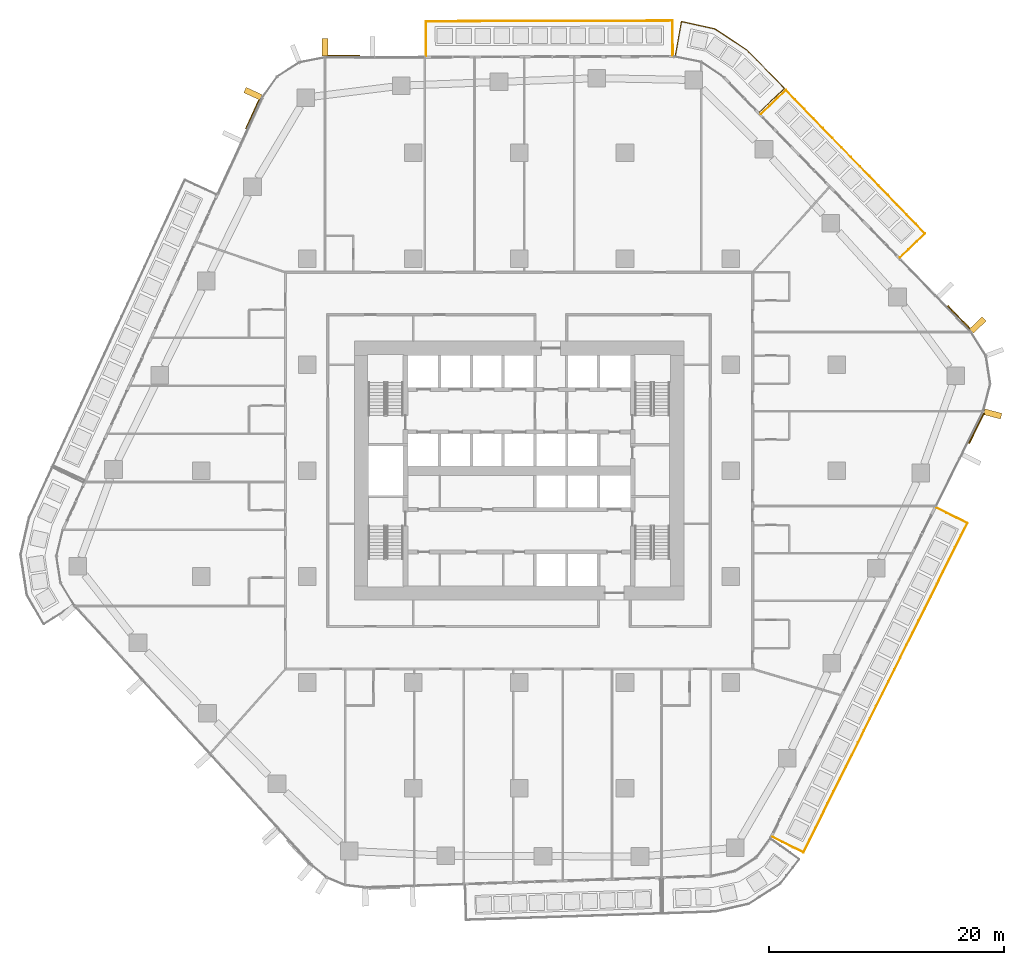
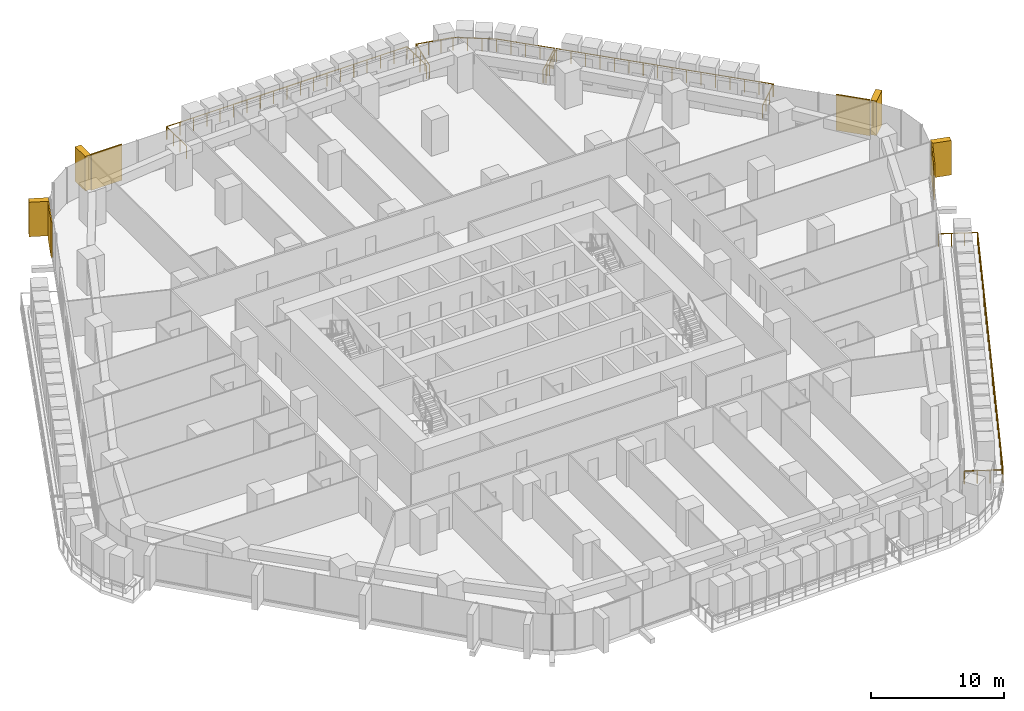
# One storey, part 27 of 27: 8 coverings, 4 railings, 5 elements without a shape of their own.
"""IFC4 building model written with IfcOpenShell, lengths in metres."""

from ifc_helpers import new_model, si_unit, direction, frame, origin, origin_2d, place, context, subcontext, project, spatial, rectangle, circle, extrude, material, layer, layer_set, material_profile, profile_set, type_object, element, aggregate, save


model = new_model("IFC4")

# Units and contexts
model_context = context("Model", 3, precision=1e-05, world=origin(), true_north=direction((0.0, 1.0)))
body_context = subcontext(model_context, "Body", "Model", "MODEL_VIEW")
ifc_project = project(units=[si_unit("LENGTHUNIT", "METRE"), si_unit("AREAUNIT", "SQUARE_METRE"), si_unit("VOLUMEUNIT", "CUBIC_METRE"), si_unit("PLANEANGLEUNIT", "RADIAN"), si_unit("MASSUNIT", "GRAM", prefix="KILO")], contexts=[model_context])

# Site, building, storey
site_placement = place(None, origin())
site = spatial("IfcSite", under=ifc_project, at=site_placement, CompositionType="ELEMENT")
building_placement = place(site_placement, origin())
building = spatial("IfcBuilding", under=site, at=building_placement, Name="Dongbaek Canopy Tower", CompositionType="ELEMENT")
storey_placement = place(building_placement, frame((0.0, 0.0, 58.800048828125)))
storey = spatial("IfcBuildingStorey", under=building, at=storey_placement, Name="L10", CompositionType="ELEMENT", Elevation=58.800048828125)

# Railings
ifc_material_1 = material(Name="Stainless steel", Category="steel")
railing_type = type_object("IfcRailingType", Name="Balcony balustrade 1200", PredefinedType="BALUSTRADE", material=ifc_material_1)
railing_1_placement = place(storey_placement, frame((32.384033203125, 18.10546875, 0.0)))
element("IfcRailing", 1, at=railing_1_placement, inside=storey, type_object=railing_type, Name="Balcony guard L10 1", PredefinedType="BALUSTRADE", context=body_context, shape_type="SweptSolid", body=[
    extrude(circle(Radius=0.02392578125, at=origin_2d()), frame((0.0, 0.0, 1.17578125), z_axis=(0.718023621674, 0.696018734459, 0.0), x_axis=(-0.696018734459, 0.718023621674, 0.0)), (0.0, 0.0, 1.0), 2.940185546875),
    extrude(circle(Radius=0.02392578125, at=origin_2d()), frame((2.111083984375, 2.04638671875, 1.17578125), z_axis=(-0.696033141623, 0.718009655759, 0.0), x_axis=(-0.718009655759, -0.696033141623, 0.0)), (0.0, 0.0, 1.0), 16.98583984375),
    extrude(circle(Radius=0.02392578125, at=origin_2d()), frame((-9.711669921875, 14.242431640625, 1.17578125), z_axis=(-0.718023621674, -0.696018734459, 0.0), x_axis=(0.696018734459, -0.718023621674, 0.0)), (0.0, 0.0, 1.0), 2.940185546875),
    extrude(circle(Radius=0.02099609375, at=origin_2d()), origin(), (0.0, 0.0, 1.0), 1.15185546875),
    extrude(circle(Radius=0.02099609375, at=origin_2d()), frame((0.70361328125, 0.68212890625, 0.0)), (0.0, 0.0, 1.0), 1.15185546875),
    extrude(circle(Radius=0.02099609375, at=origin_2d()), frame((1.407470703125, 1.3642578125, 0.0)), (0.0, 0.0, 1.0), 1.15185546875),
    extrude(circle(Radius=0.02099609375, at=origin_2d()), frame((2.111083984375, 2.04638671875, 0.0)), (0.0, 0.0, 1.0), 1.15185546875),
    extrude(circle(Radius=0.02099609375, at=origin_2d()), frame((1.322998046875, 2.859375, 0.0)), (0.0, 0.0, 1.0), 1.15185546875),
    extrude(circle(Radius=0.02099609375, at=origin_2d()), frame((0.53466796875, 3.672607421875, 0.0)), (0.0, 0.0, 1.0), 1.15185546875),
    extrude(circle(Radius=0.02099609375, at=origin_2d()), frame((-0.25341796875, 4.485595703125, 0.0)), (0.0, 0.0, 1.0), 1.15185546875),
    extrude(circle(Radius=0.02099609375, at=origin_2d()), frame((-1.041748046875, 5.298583984375, 0.0)), (0.0, 0.0, 1.0), 1.15185546875),
    extrude(circle(Radius=0.02099609375, at=origin_2d()), frame((-1.829833984375, 6.11181640625, 0.0)), (0.0, 0.0, 1.0), 1.15185546875),
    extrude(circle(Radius=0.02099609375, at=origin_2d()), frame((-2.617919921875, 6.9248046875, 0.0)), (0.0, 0.0, 1.0), 1.15185546875),
    extrude(circle(Radius=0.02099609375, at=origin_2d()), frame((-3.40625, 7.73779296875, 0.0)), (0.0, 0.0, 1.0), 1.15185546875),
    extrude(circle(Radius=0.02099609375, at=origin_2d()), frame((-4.1943359375, 8.551025390625, 0.0)), (0.0, 0.0, 1.0), 1.15185546875),
    extrude(circle(Radius=0.02099609375, at=origin_2d()), frame((-4.982666015625, 9.364013671875, 0.0)), (0.0, 0.0, 1.0), 1.15185546875),
    extrude(circle(Radius=0.02099609375, at=origin_2d()), frame((-5.770751953125, 10.177001953125, 0.0)), (0.0, 0.0, 1.0), 1.15185546875),
    extrude(circle(Radius=0.02099609375, at=origin_2d()), frame((-6.558837890625, 10.990234375, 0.0)), (0.0, 0.0, 1.0), 1.15185546875),
    extrude(circle(Radius=0.02099609375, at=origin_2d()), frame((-7.34716796875, 11.80322265625, 0.0)), (0.0, 0.0, 1.0), 1.15185546875),
    extrude(circle(Radius=0.02099609375, at=origin_2d()), frame((-8.13525390625, 12.6162109375, 0.0)), (0.0, 0.0, 1.0), 1.15185546875),
    extrude(circle(Radius=0.02099609375, at=origin_2d()), frame((-8.923583984375, 13.429443359375, 0.0)), (0.0, 0.0, 1.0), 1.15185546875),
    extrude(circle(Radius=0.02099609375, at=origin_2d()), frame((-9.711669921875, 14.242431640625, 0.0)), (0.0, 0.0, 1.0), 1.15185546875),
    extrude(circle(Radius=0.02099609375, at=origin_2d()), frame((-10.415283203125, 13.560302734375, 0.0)), (0.0, 0.0, 1.0), 1.15185546875),
    extrude(circle(Radius=0.02099609375, at=origin_2d()), frame((-11.119140625, 12.878173828125, 0.0)), (0.0, 0.0, 1.0), 1.15185546875),
    extrude(circle(Radius=0.02099609375, at=origin_2d()), frame((-11.82275390625, 12.196044921875, 0.0)), (0.0, 0.0, 1.0), 1.15185546875),
])
railing_2_placement = place(storey_placement, frame((20.408203125, 30.45947265625, 0.0)))
element("IfcRailing", 2, at=railing_2_placement, inside=storey, type_object=railing_type, Name="Balcony guard L10 6", PredefinedType="BALUSTRADE", context=body_context, shape_type="SweptSolid", body=[
    extrude(circle(Radius=0.02392578125, at=origin_2d()), frame((0.0, 0.0, 1.17578125), z_axis=(0.732095259617, 0.681202268673, 0.0), x_axis=(-0.681202268673, 0.732095259617, 0.0)), (0.0, 0.0, 1.0), 2.940673828125),
    extrude(circle(Radius=0.02392578125, at=origin_2d()), frame((2.15283203125, 2.003173828125, 1.17578125), z_axis=(-0.69838088973, 0.715726297449, 0.0), x_axis=(-0.715726297449, -0.69838088973, 0.0)), (0.0, 0.0, 1.0), 4.54638671875),
    extrude(circle(Radius=0.02392578125, at=origin_2d()), frame((-1.022216796875, 5.257080078125, 1.17578125), z_axis=(-0.832874716768, 0.55346156702, 0.0), x_axis=(-0.55346156702, -0.832874716768, 0.0)), (0.0, 0.0, 1.0), 3.276611328125),
    extrude(circle(Radius=0.02392578125, at=origin_2d()), frame((-3.751220703125, 7.070556640625, 1.17578125), z_axis=(-0.976241893003, 0.216683562705, 0.0), x_axis=(-0.216683562705, -0.976241893003, 0.0)), (0.0, 0.0, 1.0), 2.931640625),
    extrude(circle(Radius=0.02392578125, at=origin_2d()), frame((-6.61328125, 7.705810546875, 1.17578125), z_axis=(-0.176919785604, -0.984225273737, 0.0), x_axis=(0.984225273737, -0.176919785604, 0.0)), (0.0, 0.0, 1.0), 2.940673828125),
    extrude(circle(Radius=0.02099609375, at=origin_2d()), origin(), (0.0, 0.0, 1.0), 1.15185546875),
    extrude(circle(Radius=0.02099609375, at=origin_2d()), frame((0.717529296875, 0.667724609375, 0.0)), (0.0, 0.0, 1.0), 1.15185546875),
    extrude(circle(Radius=0.02099609375, at=origin_2d()), frame((1.435302734375, 1.33544921875, 0.0)), (0.0, 0.0, 1.0), 1.15185546875),
    extrude(circle(Radius=0.02099609375, at=origin_2d()), frame((2.15283203125, 2.003173828125, 0.0)), (0.0, 0.0, 1.0), 1.15185546875),
    extrude(circle(Radius=0.02099609375, at=origin_2d()), frame((1.359130859375, 2.816650390625, 0.0)), (0.0, 0.0, 1.0), 1.15185546875),
    extrude(circle(Radius=0.02099609375, at=origin_2d()), frame((0.5654296875, 3.630126953125, 0.0)), (0.0, 0.0, 1.0), 1.15185546875),
    extrude(circle(Radius=0.02099609375, at=origin_2d()), frame((-0.228515625, 4.443603515625, 0.0)), (0.0, 0.0, 1.0), 1.15185546875),
    extrude(circle(Radius=0.02099609375, at=origin_2d()), frame((-1.022216796875, 5.257080078125, 0.0)), (0.0, 0.0, 1.0), 1.15185546875),
    extrude(circle(Radius=0.02099609375, at=origin_2d()), frame((-1.931884765625, 5.861572265625, 0.0)), (0.0, 0.0, 1.0), 1.15185546875),
    extrude(circle(Radius=0.02099609375, at=origin_2d()), frame((-2.841552734375, 6.466064453125, 0.0)), (0.0, 0.0, 1.0), 1.15185546875),
    extrude(circle(Radius=0.02099609375, at=origin_2d()), frame((-3.751220703125, 7.070556640625, 0.0)), (0.0, 0.0, 1.0), 1.15185546875),
    extrude(circle(Radius=0.02099609375, at=origin_2d()), frame((-4.705322265625, 7.2822265625, 0.0)), (0.0, 0.0, 1.0), 1.15185546875),
    extrude(circle(Radius=0.02099609375, at=origin_2d()), frame((-5.6591796875, 7.494140625, 0.0)), (0.0, 0.0, 1.0), 1.15185546875),
    extrude(circle(Radius=0.02099609375, at=origin_2d()), frame((-6.61328125, 7.705810546875, 0.0)), (0.0, 0.0, 1.0), 1.15185546875),
    extrude(circle(Radius=0.02099609375, at=origin_2d()), frame((-6.78662109375, 6.740966796875, 0.0)), (0.0, 0.0, 1.0), 1.15185546875),
    extrude(circle(Radius=0.02099609375, at=origin_2d()), frame((-6.960205078125, 5.7763671875, 0.0)), (0.0, 0.0, 1.0), 1.15185546875),
    extrude(circle(Radius=0.02099609375, at=origin_2d()), frame((-7.133544921875, 4.8115234375, 0.0)), (0.0, 0.0, 1.0), 1.15185546875),
])
railing_3_placement = place(storey_placement, frame((13.056884765625, 35.292236328125, 0.0)))
element("IfcRailing", 3, at=railing_3_placement, inside=storey, type_object=railing_type, Name="Balcony guard L10 2", PredefinedType="BALUSTRADE", context=body_context, shape_type="SweptSolid", body=[
    extrude(circle(Radius=0.02392578125, at=origin_2d()), frame((0.0, 0.0, 1.17578125), z_axis=(-0.002657356503, 0.999996469222, 0.0), x_axis=(-0.999996469222, -0.002657356503, 0.0)), (0.0, 0.0, 1.0), 2.93994140625),
    extrude(circle(Radius=0.02392578125, at=origin_2d()), frame((-0.0078125, 2.93994140625, 1.17578125), z_axis=(-0.999996476187, -0.002654734253, 0.0), x_axis=(0.002654734253, -0.999996476187, 0.0)), (0.0, 0.0, 1.0), 20.9677734375),
    extrude(circle(Radius=0.02392578125, at=origin_2d()), frame((-20.9755859375, 2.88427734375, 1.17578125), z_axis=(0.002740170731, -0.999996245725, 0.0), x_axis=(0.999996245725, 0.002740170731, 0.0)), (0.0, 0.0, 1.0), 2.940185546875),
    extrude(circle(Radius=0.02099609375, at=origin_2d()), origin(), (0.0, 0.0, 1.0), 1.15185546875),
    extrude(circle(Radius=0.02099609375, at=origin_2d()), frame((-0.002685546875, 0.97998046875, 0.0)), (0.0, 0.0, 1.0), 1.15185546875),
    extrude(circle(Radius=0.02099609375, at=origin_2d()), frame((-0.005126953125, 1.9599609375, 0.0)), (0.0, 0.0, 1.0), 1.15185546875),
    extrude(circle(Radius=0.02099609375, at=origin_2d()), frame((-0.0078125, 2.93994140625, 0.0)), (0.0, 0.0, 1.0), 1.15185546875),
    extrude(circle(Radius=0.02099609375, at=origin_2d()), frame((-1.172607421875, 2.936767578125, 0.0)), (0.0, 0.0, 1.0), 1.15185546875),
    extrude(circle(Radius=0.02099609375, at=origin_2d()), frame((-2.337646484375, 2.933837890625, 0.0)), (0.0, 0.0, 1.0), 1.15185546875),
    extrude(circle(Radius=0.02099609375, at=origin_2d()), frame((-3.50244140625, 2.9306640625, 0.0)), (0.0, 0.0, 1.0), 1.15185546875),
    extrude(circle(Radius=0.02099609375, at=origin_2d()), frame((-4.667236328125, 2.927490234375, 0.0)), (0.0, 0.0, 1.0), 1.15185546875),
    extrude(circle(Radius=0.02099609375, at=origin_2d()), frame((-5.832275390625, 2.924560546875, 0.0)), (0.0, 0.0, 1.0), 1.15185546875),
    extrude(circle(Radius=0.02099609375, at=origin_2d()), frame((-6.9970703125, 2.92138671875, 0.0)), (0.0, 0.0, 1.0), 1.15185546875),
    extrude(circle(Radius=0.02099609375, at=origin_2d()), frame((-8.161865234375, 2.918212890625, 0.0)), (0.0, 0.0, 1.0), 1.15185546875),
    extrude(circle(Radius=0.02099609375, at=origin_2d()), frame((-9.326904296875, 2.915283203125, 0.0)), (0.0, 0.0, 1.0), 1.15185546875),
    extrude(circle(Radius=0.02099609375, at=origin_2d()), frame((-10.49169921875, 2.912109375, 0.0)), (0.0, 0.0, 1.0), 1.15185546875),
    extrude(circle(Radius=0.02099609375, at=origin_2d()), frame((-11.656494140625, 2.908935546875, 0.0)), (0.0, 0.0, 1.0), 1.15185546875),
    extrude(circle(Radius=0.02099609375, at=origin_2d()), frame((-12.821533203125, 2.906005859375, 0.0)), (0.0, 0.0, 1.0), 1.15185546875),
    extrude(circle(Radius=0.02099609375, at=origin_2d()), frame((-13.986328125, 2.90283203125, 0.0)), (0.0, 0.0, 1.0), 1.15185546875),
    extrude(circle(Radius=0.02099609375, at=origin_2d()), frame((-15.151123046875, 2.899658203125, 0.0)), (0.0, 0.0, 1.0), 1.15185546875),
    extrude(circle(Radius=0.02099609375, at=origin_2d()), frame((-16.316162109375, 2.896728515625, 0.0)), (0.0, 0.0, 1.0), 1.15185546875),
    extrude(circle(Radius=0.02099609375, at=origin_2d()), frame((-17.48095703125, 2.8935546875, 0.0)), (0.0, 0.0, 1.0), 1.15185546875),
    extrude(circle(Radius=0.02099609375, at=origin_2d()), frame((-18.645751953125, 2.890380859375, 0.0)), (0.0, 0.0, 1.0), 1.15185546875),
    extrude(circle(Radius=0.02099609375, at=origin_2d()), frame((-19.810791015625, 2.887451171875, 0.0)), (0.0, 0.0, 1.0), 1.15185546875),
    extrude(circle(Radius=0.02099609375, at=origin_2d()), frame((-20.9755859375, 2.88427734375, 0.0)), (0.0, 0.0, 1.0), 1.15185546875),
    extrude(circle(Radius=0.02099609375, at=origin_2d()), frame((-20.972900390625, 1.904296875, 0.0)), (0.0, 0.0, 1.0), 1.15185546875),
    extrude(circle(Radius=0.02099609375, at=origin_2d()), frame((-20.97021484375, 0.924072265625, 0.0)), (0.0, 0.0, 1.0), 1.15185546875),
    extrude(circle(Radius=0.02099609375, at=origin_2d()), frame((-20.967529296875, -0.055908203125, 0.0)), (0.0, 0.0, 1.0), 1.15185546875),
])
railing_4_placement = place(storey_placement, frame((21.525146484375, -31.12890625, 0.0)))
element("IfcRailing", 4, at=railing_4_placement, inside=storey, type_object=railing_type, Name="Balcony guard L10 5", PredefinedType="BALUSTRADE", context=body_context, shape_type="SweptSolid", body=[
    extrude(circle(Radius=0.02392578125, at=origin_2d()), frame((0.0, 0.0, 1.17578125), z_axis=(0.895189869803, -0.445684975068, 0.0), x_axis=(0.445684975068, 0.895189869803, 0.0)), (0.0, 0.0, 1.0), 2.93994140625),
    extrude(circle(Radius=0.02392578125, at=origin_2d()), frame((2.6318359375, -1.310302734375, 1.17578125), z_axis=(0.445675691297, 0.895194491821, 0.0), x_axis=(-0.895194491821, 0.445675691297, 0.0)), (0.0, 0.0, 1.0), 31.255126953125),
    extrude(circle(Radius=0.02392578125, at=origin_2d()), frame((16.5615234375, 26.669189453125, 1.17578125), z_axis=(-0.895189869803, 0.445684975068, 0.0), x_axis=(-0.445684975068, -0.895189869803, 0.0)), (0.0, 0.0, 1.0), 2.93994140625),
    extrude(circle(Radius=0.02099609375, at=origin_2d()), origin(), (0.0, 0.0, 1.0), 1.15185546875),
    extrude(circle(Radius=0.02099609375, at=origin_2d()), frame((0.877197265625, -0.436767578125, 0.0)), (0.0, 0.0, 1.0), 1.15185546875),
    extrude(circle(Radius=0.02099609375, at=origin_2d()), frame((1.754638671875, -0.87353515625, 0.0)), (0.0, 0.0, 1.0), 1.15185546875),
    extrude(circle(Radius=0.02099609375, at=origin_2d()), frame((2.6318359375, -1.310302734375, 0.0)), (0.0, 0.0, 1.0), 1.15185546875),
    extrude(circle(Radius=0.02099609375, at=origin_2d()), frame((3.147705078125, -0.27392578125, 0.0)), (0.0, 0.0, 1.0), 1.15185546875),
    extrude(circle(Radius=0.02099609375, at=origin_2d()), frame((3.66357421875, 0.76220703125, 0.0)), (0.0, 0.0, 1.0), 1.15185546875),
    extrude(circle(Radius=0.02099609375, at=origin_2d()), frame((4.1796875, 1.798583984375, 0.0)), (0.0, 0.0, 1.0), 1.15185546875),
    extrude(circle(Radius=0.02099609375, at=origin_2d()), frame((4.695556640625, 2.834716796875, 0.0)), (0.0, 0.0, 1.0), 1.15185546875),
    extrude(circle(Radius=0.02099609375, at=origin_2d()), frame((5.21142578125, 3.87109375, 0.0)), (0.0, 0.0, 1.0), 1.15185546875),
    extrude(circle(Radius=0.02099609375, at=origin_2d()), frame((5.727294921875, 4.907470703125, 0.0)), (0.0, 0.0, 1.0), 1.15185546875),
    extrude(circle(Radius=0.02099609375, at=origin_2d()), frame((6.2431640625, 5.943603515625, 0.0)), (0.0, 0.0, 1.0), 1.15185546875),
    extrude(circle(Radius=0.02099609375, at=origin_2d()), frame((6.759033203125, 6.97998046875, 0.0)), (0.0, 0.0, 1.0), 1.15185546875),
    extrude(circle(Radius=0.02099609375, at=origin_2d()), frame((7.275146484375, 8.01611328125, 0.0)), (0.0, 0.0, 1.0), 1.15185546875),
    extrude(circle(Radius=0.02099609375, at=origin_2d()), frame((7.791015625, 9.052490234375, 0.0)), (0.0, 0.0, 1.0), 1.15185546875),
    extrude(circle(Radius=0.02099609375, at=origin_2d()), frame((8.306884765625, 10.0888671875, 0.0)), (0.0, 0.0, 1.0), 1.15185546875),
    extrude(circle(Radius=0.02099609375, at=origin_2d()), frame((8.82275390625, 11.125, 0.0)), (0.0, 0.0, 1.0), 1.15185546875),
    extrude(circle(Radius=0.02099609375, at=origin_2d()), frame((9.338623046875, 12.161376953125, 0.0)), (0.0, 0.0, 1.0), 1.15185546875),
    extrude(circle(Radius=0.02099609375, at=origin_2d()), frame((9.854736328125, 13.197509765625, 0.0)), (0.0, 0.0, 1.0), 1.15185546875),
    extrude(circle(Radius=0.02099609375, at=origin_2d()), frame((10.37060546875, 14.23388671875, 0.0)), (0.0, 0.0, 1.0), 1.15185546875),
    extrude(circle(Radius=0.02099609375, at=origin_2d()), frame((10.886474609375, 15.27001953125, 0.0)), (0.0, 0.0, 1.0), 1.15185546875),
    extrude(circle(Radius=0.02099609375, at=origin_2d()), frame((11.40234375, 16.306396484375, 0.0)), (0.0, 0.0, 1.0), 1.15185546875),
    extrude(circle(Radius=0.02099609375, at=origin_2d()), frame((11.918212890625, 17.3427734375, 0.0)), (0.0, 0.0, 1.0), 1.15185546875),
    extrude(circle(Radius=0.02099609375, at=origin_2d()), frame((12.434326171875, 18.37890625, 0.0)), (0.0, 0.0, 1.0), 1.15185546875),
    extrude(circle(Radius=0.02099609375, at=origin_2d()), frame((12.9501953125, 19.415283203125, 0.0)), (0.0, 0.0, 1.0), 1.15185546875),
    extrude(circle(Radius=0.02099609375, at=origin_2d()), frame((13.466064453125, 20.451416015625, 0.0)), (0.0, 0.0, 1.0), 1.15185546875),
    extrude(circle(Radius=0.02099609375, at=origin_2d()), frame((13.98193359375, 21.48779296875, 0.0)), (0.0, 0.0, 1.0), 1.15185546875),
    extrude(circle(Radius=0.02099609375, at=origin_2d()), frame((14.497802734375, 22.524169921875, 0.0)), (0.0, 0.0, 1.0), 1.15185546875),
    extrude(circle(Radius=0.02099609375, at=origin_2d()), frame((15.013671875, 23.560302734375, 0.0)), (0.0, 0.0, 1.0), 1.15185546875),
    extrude(circle(Radius=0.02099609375, at=origin_2d()), frame((15.52978515625, 24.5966796875, 0.0)), (0.0, 0.0, 1.0), 1.15185546875),
    extrude(circle(Radius=0.02099609375, at=origin_2d()), frame((16.045654296875, 25.6328125, 0.0)), (0.0, 0.0, 1.0), 1.15185546875),
    extrude(circle(Radius=0.02099609375, at=origin_2d()), frame((16.5615234375, 26.669189453125, 0.0)), (0.0, 0.0, 1.0), 1.15185546875),
    extrude(circle(Radius=0.02099609375, at=origin_2d()), frame((15.684326171875, 27.10595703125, 0.0)), (0.0, 0.0, 1.0), 1.15185546875),
    extrude(circle(Radius=0.02099609375, at=origin_2d()), frame((14.806884765625, 27.542724609375, 0.0)), (0.0, 0.0, 1.0), 1.15185546875),
    extrude(circle(Radius=0.02099609375, at=origin_2d()), frame((13.9296875, 27.9794921875, 0.0)), (0.0, 0.0, 1.0), 1.15185546875),
])

# Curtain wall, covering
ifc_material_2 = material(Name="Aluminium 6063-T6 pale anodised", Category="aluminium")
ifc_layer_1 = layer(ifc_material_2, 0.199951171875)
ifc_layer_set_1 = layer_set([ifc_layer_1], Name="CW-1 unitised tower curtain wall")
curtain_wall_type = type_object("IfcCurtainWallType", Name="CW-1 unitised tower curtain wall", PredefinedType="NOTDEFINED", material=ifc_layer_set_1)
curtain_wall_1_placement = place(storey_placement, origin())
curtain_wall_1 = element("IfcCurtainWall", 5, at=curtain_wall_1_placement, inside=storey, type_object=curtain_wall_type, Name="CW-1 curtain wall F5.1", PredefinedType="NOTDEFINED")
ifc_material_3 = material(Name="Perforated aluminium 6063-T6 pale metal screen", Category="aluminium")
ifc_layer_2 = layer(ifc_material_3, 0.10009765625)
ifc_layer_set_2 = layer_set([ifc_layer_2], Name="Facet screen FS1 100 pale metal")
covering_type_1 = type_object("IfcCoveringType", Name="Facet screen FS1 100 pale metal", PredefinedType="CLADDING", material=ifc_layer_set_2)
covering_1_placement = place(storey_placement, frame((38.863037109375, 3.59326171875, 0.0), z_axis=(0.0, 0.0, 1.0), x_axis=(0.445677606724, 0.895193538217, 0.0)))
covering_1 = element("IfcCovering", 6, at=covering_1_placement, type_object=covering_type_1, Name="Facet screen L10 F5", PredefinedType="CLADDING", context=body_context, shape_type="SweptSolid", body=[
    extrude(rectangle(XDim=2.841796875, YDim=0.10009765625, at=origin_2d()), origin(), (0.0, 0.0, 1.0), 3.300048828125),
])
aggregate(curtain_wall_1, [covering_1])

curtain_wall_2_placement = place(storey_placement, origin())
curtain_wall_2 = element("IfcCurtainWall", 7, at=curtain_wall_2_placement, inside=storey, type_object=curtain_wall_type, Name="CW-1 curtain wall F0.1", PredefinedType="NOTDEFINED")
covering_2_placement = place(storey_placement, frame((37.343994140625, 13.055419921875, 0.0), z_axis=(0.0, 0.0, 1.0), x_axis=(-0.696039375829, 0.718003612313, 0.0)))
covering_2 = element("IfcCovering", 8, at=covering_2_placement, type_object=covering_type_1, Name="Facet screen L10 F0", PredefinedType="CLADDING", context=body_context, shape_type="SweptSolid", body=[
    extrude(rectangle(XDim=2.66845703125, YDim=0.10009765625, at=origin_2d()), origin(), (0.0, 0.0, 1.0), 3.300048828125),
])

curtain_wall_3_placement = place(storey_placement, origin())
curtain_wall_3 = element("IfcCurtainWall", 9, at=curtain_wall_3_placement, inside=storey, type_object=curtain_wall_type, Name="CW-1 curtain wall F1.1", PredefinedType="NOTDEFINED")
covering_3_placement = place(storey_placement, frame((-14.86181640625, 35.263916015625, 0.0), z_axis=(0.0, 0.0, 1.0), x_axis=(-0.999996448576, -0.002665114613, 0.0)))
covering_3 = element("IfcCovering", 10, at=covering_3_placement, type_object=covering_type_1, Name="Facet screen L10 F1", PredefinedType="CLADDING", context=body_context, shape_type="SweptSolid", body=[
    extrude(rectangle(XDim=2.669189453125, YDim=0.10009765625, at=origin_2d()), origin(), (0.0, 0.0, 1.0), 3.300048828125),
])

curtain_wall_4_placement = place(storey_placement, origin())
curtain_wall_4 = element("IfcCurtainWall", 11, at=curtain_wall_4_placement, inside=storey, type_object=curtain_wall_type, Name="CW-1 curtain wall F2.1", PredefinedType="NOTDEFINED")
covering_4_placement = place(storey_placement, frame((-22.654296875, 30.26171875, 0.0), z_axis=(0.0, 0.0, 1.0), x_axis=(-0.418811892509, -0.908073013966, 0.0)))
covering_4 = element("IfcCovering", 12, at=covering_4_placement, type_object=covering_type_1, Name="Facet screen L10 F2", PredefinedType="CLADDING", context=body_context, shape_type="SweptSolid", body=[
    extrude(rectangle(XDim=2.669189453125, YDim=0.10009765625, at=origin_2d()), origin(), (0.0, 0.0, 1.0), 3.300048828125),
])

curtain_wall_5_placement = place(storey_placement, origin())
curtain_wall_5 = element("IfcCurtainWall", 13, at=curtain_wall_5_placement, inside=storey, type_object=curtain_wall_type, Name="CW-1 curtain wall K0.1", PredefinedType="NOTDEFINED")
ifc_material_4 = material(Name="Aluminium 6063-T6 pale metal fin", Category="aluminium")
ifc_material_profile = material_profile(ifc_material_4, rectangle(XDim=1.5, YDim=0.5, at=origin_2d()), Name="Fin FN1 500 x 1500 pale metal")
ifc_profile_set = profile_set([ifc_material_profile], Name="Aluminium 6063-T6 pale metal fin")
covering_type_2 = type_object("IfcCoveringType", Name="Fin FN1 500 x 1500 pale metal", PredefinedType="CLADDING", material=ifc_profile_set)
covering_5_placement = place(storey_placement, frame((40.23974609375, 4.819091796875, 0.119873046875), z_axis=(0.0, 0.0, 1.0), x_axis=(0.967250347585, -0.253824279961, 0.0)))
covering_5 = element("IfcCovering", 14, at=covering_5_placement, type_object=covering_type_2, Name="Fin K0.1.1", PredefinedType="CLADDING", context=body_context, shape_type="SweptSolid", body=[
    extrude(rectangle(XDim=1.5, YDim=0.5, at=origin_2d()), origin(), (0.0, 0.0, 1.0), 3.18017578125),
])
aggregate(curtain_wall_5, [covering_5])

# Covering
covering_6_placement = place(storey_placement, frame((38.97998046875, 12.379150390625, 0.119873046875), z_axis=(0.0, 0.0, 1.0), x_axis=(0.718004001298, 0.69603897457, 0.0)))
covering_6 = element("IfcCovering", 15, at=covering_6_placement, type_object=covering_type_2, Name="Fin F0.1.1", PredefinedType="CLADDING", context=body_context, shape_type="SweptSolid", body=[
    extrude(rectangle(XDim=1.5, YDim=0.5, at=origin_2d()), origin(), (0.0, 0.0, 1.0), 3.18017578125),
])

aggregate(curtain_wall_2, [covering_6, covering_2])

covering_7_placement = place(storey_placement, frame((-16.48828125, 35.963623046875, 0.119873046875), z_axis=(0.0, 0.0, 1.0), x_axis=(-0.002665570299, 0.999996447361, 0.0)))
covering_7 = element("IfcCovering", 16, at=covering_7_placement, type_object=covering_type_2, Name="Fin F1.1.3", PredefinedType="CLADDING", context=body_context, shape_type="SweptSolid", body=[
    extrude(rectangle(XDim=1.5, YDim=0.5, at=origin_2d()), origin(), (0.0, 0.0, 1.0), 3.18017578125),
])

aggregate(curtain_wall_3, [covering_7, covering_3])

covering_8_placement = place(storey_placement, frame((-22.61328125, 32.031982421875, 0.119873046875), z_axis=(0.0, 0.0, 1.0), x_axis=(-0.908073315942, 0.418811237761, 0.0)))
covering_8 = element("IfcCovering", 17, at=covering_8_placement, type_object=covering_type_2, Name="Fin F2.1.1", PredefinedType="CLADDING", context=body_context, shape_type="SweptSolid", body=[
    extrude(rectangle(XDim=1.5, YDim=0.5, at=origin_2d()), origin(), (0.0, 0.0, 1.0), 3.18017578125),
])

aggregate(curtain_wall_4, [covering_8, covering_4])

save(model, "model.ifc")
